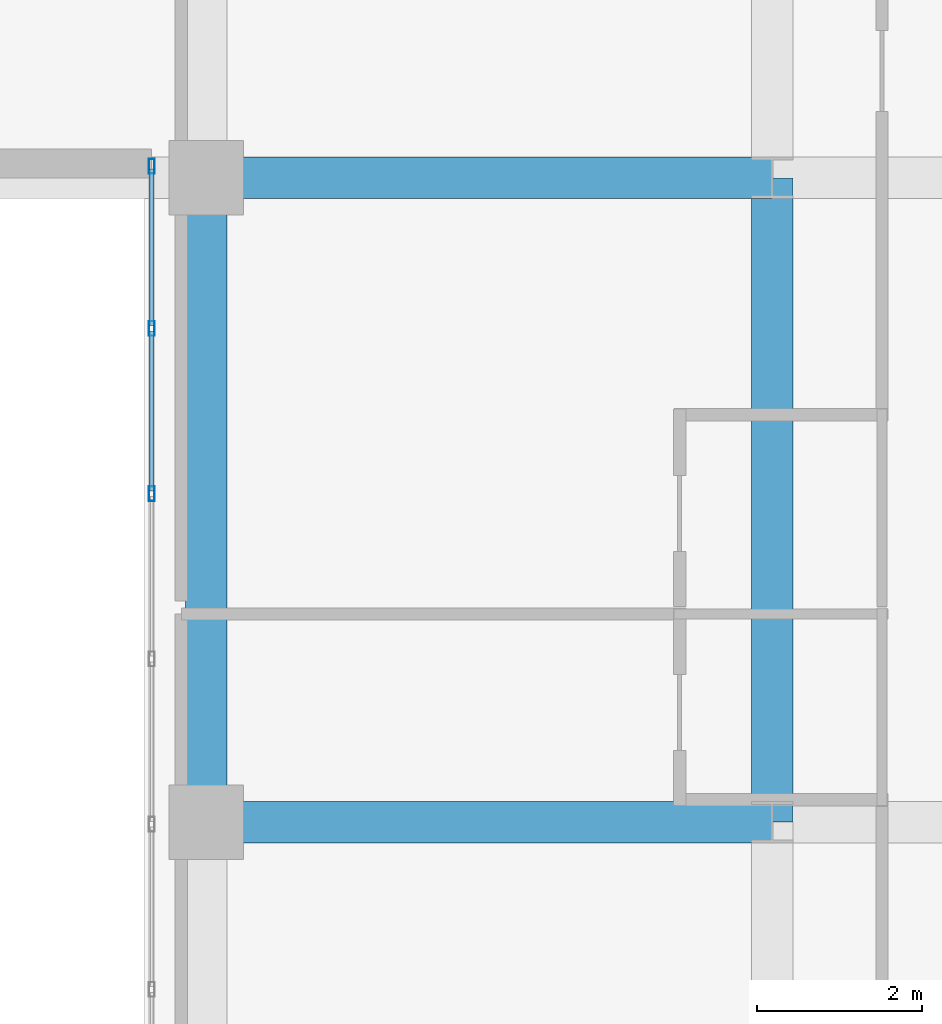
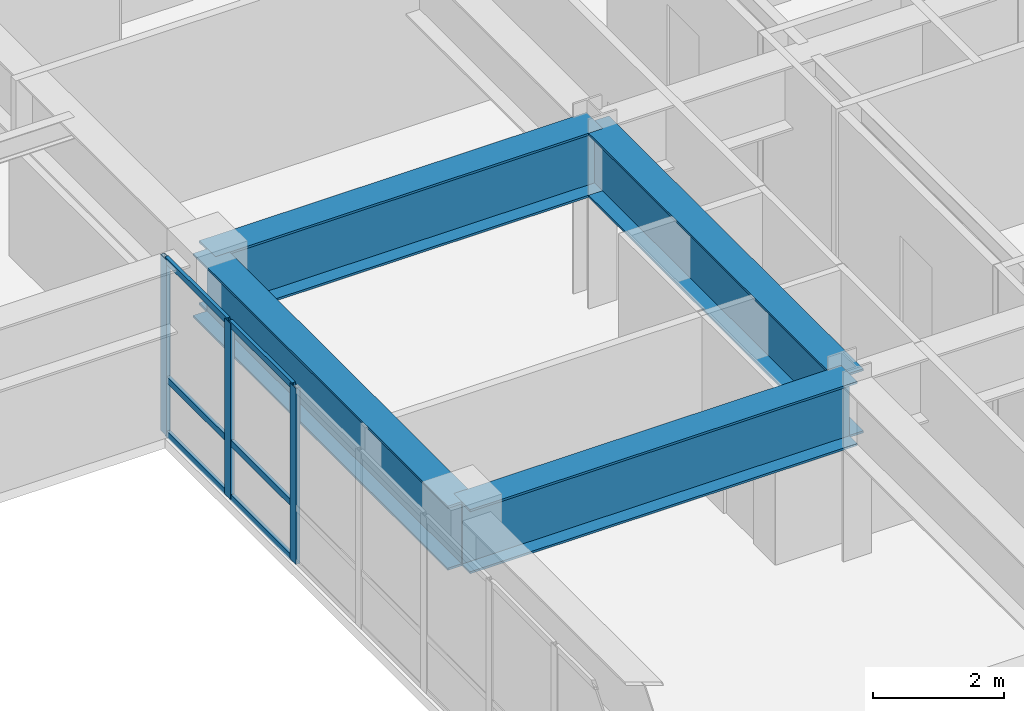
# One storey, part 6 of 15: 9 members, 4 beams, 1 element without a shape of its own.
"""IFC4 building model written with IfcOpenShell, lengths in metres."""

from ifc_helpers import new_model, si_unit, direction, frame, origin, origin_2d, place, context, subcontext, project, spatial, hollow_rectangle, i_section, extrude, source, transform, mapped, material, layer, layer_set, material_profile, profile_set, type_object, type_shapes, element, aggregate, save


model = new_model("IFC4")

# Units and contexts
model_context = context("Model", 3, precision=1e-05, world=origin(), true_north=direction((0.0, 1.0)))
body_context = subcontext(model_context, "Body", "Model", "MODEL_VIEW")
ifc_project = project(units=[si_unit("LENGTHUNIT", "METRE"), si_unit("AREAUNIT", "SQUARE_METRE"), si_unit("VOLUMEUNIT", "CUBIC_METRE"), si_unit("PLANEANGLEUNIT", "RADIAN"), si_unit("MASSUNIT", "GRAM", prefix="KILO")], contexts=[model_context])

# Site, building, storey
site_placement = place(None, origin())
site = spatial("IfcSite", under=ifc_project, at=site_placement, CompositionType="ELEMENT")
building_placement = place(site_placement, origin())
building = spatial("IfcBuilding", under=site, at=building_placement, Name="Tolvann Quenvar Hotel", CompositionType="ELEMENT")
storey_placement = place(building_placement, frame((0.0, 0.0, 143.5)))
storey = spatial("IfcBuildingStorey", under=building, at=storey_placement, Name="L37", CompositionType="ELEMENT", Elevation=143.5)

# Beams
ifc_material_1 = material(Name="Steel Grade 350", Category="steel")
ifc_material_profile_1 = material_profile(ifc_material_1, i_section(OverallWidth=0.5, OverallDepth=1.199951171875, WebThickness=0.01611328125, FlangeThickness=0.0400390625, at=origin_2d()), Name="1200WB455")
ifc_profile_set_1 = profile_set([ifc_material_profile_1], Name="Steel Grade 350")
beam_type = type_object("IfcBeamType", Name="BM_TG_1200WB455", PredefinedType="USERDEFINED", material=ifc_profile_set_1)
shared_shape_1 = source(origin(), body_context, "Body", "SweptSolid", [
    extrude(i_section(OverallWidth=0.5, OverallDepth=1.199951171875, WebThickness=0.01611328125, FlangeThickness=0.0400390625, at=origin_2d()), origin(), (0.0, 0.0, 1.0), 7.800048828125),
])
for number, where, z_axis, x_axis, name in (
    (1, (34.949951171875, 8.199951171875, 2.68994140625), (0.0, 1.0, 0.0), (-1.0, 0.0, 0.0), "BM-L37-NS-F3-F4"),
    (2, (41.800048828125, 8.199951171875, 2.68994140625), (0.0, 1.0, 0.0), (-1.0, 0.0, 0.0), "BM-L37-NS-H3-H4"),
):
    element("IfcBeam", number, at=place(storey_placement, frame(where, z_axis=z_axis, x_axis=x_axis)), inside=storey, type_object=beam_type, Name=name, ObjectType="TRANSFER GIRDER", PredefinedType="USERDEFINED", context=body_context, shape_type="MappedRepresentation", body=[
        mapped(shared_shape_1, transform((0.0, 0.0, 0.0), x_axis=(1.0, 0.0, 0.0), y_axis=(0.0, 1.0, 0.0), z_axis=(0.0, 0.0, 1.0), scale=1.0)),
    ])
shared_shape_2 = source(origin(), body_context, "Body", "SweptSolid", [
    extrude(i_section(OverallWidth=0.5, OverallDepth=1.199951171875, WebThickness=0.01611328125, FlangeThickness=0.0400390625, at=origin_2d()), origin(), (0.0, 0.0, 1.0), 6.85009765625),
])
type_shapes(beam_type, [shared_shape_1, shared_shape_2])
for number, where, z_axis, x_axis, name in (
    (3, (34.949951171875, 8.199951171875, 2.68994140625), (1.0, 0.0, 0.0), (0.0, 1.0, 0.0), "BM-L37-EW-3-F3-H3"),
    (4, (34.949951171875, 16.0, 2.68994140625), (1.0, 0.0, 0.0), (0.0, 1.0, 0.0), "BM-L37-EW-4-F4-H4"),
):
    element("IfcBeam", number, at=place(storey_placement, frame(where, z_axis=z_axis, x_axis=x_axis)), inside=storey, type_object=beam_type, Name=name, ObjectType="TRANSFER GIRDER", PredefinedType="USERDEFINED", context=body_context, shape_type="MappedRepresentation", body=[
        mapped(shared_shape_2, transform((0.0, 0.0, 0.0), x_axis=(1.0, 0.0, 0.0), y_axis=(0.0, 1.0, 0.0), z_axis=(0.0, 0.0, 1.0), scale=1.0)),
    ])

# Curtain wall, members
ifc_material_2 = material(Name="Thermally broken anodised architectural aluminium 6063-T6 and laminated low-E glass", Category="aluminium")
ifc_layer = layer(ifc_material_2, 0.179931640625)
ifc_layer_set = layer_set([ifc_layer], Name="Thermally broken anodised architectural aluminium 6063-T6 and laminated low-E glass")
curtain_wall_type = type_object("IfcCurtainWallType", Name="CW_SYS_SLOT_03", PredefinedType="USERDEFINED", material=ifc_layer_set)
curtain_wall_placement = place(storey_placement, origin())
curtain_wall = element("IfcCurtainWall", 5, at=curtain_wall_placement, inside=storey, type_object=curtain_wall_type, Name="Curtain Wall CW-SLOT-03 (CWR-L37-E07)", ObjectType="UNITISED CURTAIN WALL", PredefinedType="USERDEFINED")
ifc_material_3 = material(Name="Anodised architectural aluminium 6063-T6 framing", Category="aluminium")
ifc_material_profile_2 = material_profile(ifc_material_3, hollow_rectangle(XDim=0.06005859375, YDim=0.1201171875, WallThickness=0.00341796875, at=origin_2d()), Name="120x60x3.5RHS")
ifc_profile_set_2 = profile_set([ifc_material_profile_2], Name="Anodised architectural aluminium 6063-T6 framing")
member_type_1 = type_object("IfcMemberType", Name="CW_TRAN_120x60", PredefinedType="USERDEFINED", material=ifc_profile_set_2)
shared_shape_3 = source(origin(), body_context, "Body", "SweptSolid", [
    extrude(hollow_rectangle(XDim=0.06005859375, YDim=0.1201171875, WallThickness=0.00341796875, at=origin_2d()), origin(), (0.0, 0.0, 1.0), 1.929931640625),
])
member_1_placement = place(storey_placement, frame((34.2900390625, 14.139892578125, 0.030029296875), z_axis=(0.0, -1.0, 0.0), x_axis=(1.0, 0.0, 0.0)))
member_1 = element("IfcMember", 6, at=member_1_placement, type_object=member_type_1, Name="CW-SLOT-03 transom 2.1", ObjectType="TRANSOM", PredefinedType="USERDEFINED", context=body_context, shape_type="MappedRepresentation", body=[
    mapped(shared_shape_3, transform((0.0, 0.0, 0.0), x_axis=(1.0, 0.0, 0.0), y_axis=(0.0, 1.0, 0.0), z_axis=(0.0, 0.0, 1.0), scale=1.0)),
])
member_2_placement = place(storey_placement, frame((34.2900390625, 14.139892578125, 1.050048828125), z_axis=(0.0, -1.0, 0.0), x_axis=(1.0, 0.0, 0.0)))
member_2 = element("IfcMember", 7, at=member_2_placement, type_object=member_type_1, Name="CW-SLOT-03 transom 2.2", ObjectType="TRANSOM", PredefinedType="USERDEFINED", context=body_context, shape_type="MappedRepresentation", body=[
    mapped(shared_shape_3, transform((0.0, 0.0, 0.0), x_axis=(1.0, 0.0, 0.0), y_axis=(0.0, 1.0, 0.0), z_axis=(0.0, 0.0, 1.0), scale=1.0)),
])
member_3_placement = place(storey_placement, frame((34.2900390625, 14.139892578125, 3.260009765625), z_axis=(0.0, -1.0, 0.0), x_axis=(1.0, 0.0, 0.0)))
member_3 = element("IfcMember", 8, at=member_3_placement, type_object=member_type_1, Name="CW-SLOT-03 transom 2.3", ObjectType="TRANSOM", PredefinedType="USERDEFINED", context=body_context, shape_type="MappedRepresentation", body=[
    mapped(shared_shape_3, transform((0.0, 0.0, 0.0), x_axis=(1.0, 0.0, 0.0), y_axis=(0.0, 1.0, 0.0), z_axis=(0.0, 0.0, 1.0), scale=1.0)),
])
shared_shape_4 = source(origin(), body_context, "Body", "SweptSolid", [
    extrude(hollow_rectangle(XDim=0.06005859375, YDim=0.1201171875, WallThickness=0.00341796875, at=origin_2d()), origin(), (0.0, 0.0, 1.0), 1.89501953125),
])
type_shapes(member_type_1, [shared_shape_3, shared_shape_4])
member_4_placement = place(storey_placement, frame((34.2900390625, 16.10498046875, 0.030029296875), z_axis=(0.0, -1.0, 0.0), x_axis=(1.0, 0.0, 0.0)))
member_4 = element("IfcMember", 9, at=member_4_placement, type_object=member_type_1, Name="CW-SLOT-03 transom 1.1", ObjectType="TRANSOM", PredefinedType="USERDEFINED", context=body_context, shape_type="MappedRepresentation", body=[
    mapped(shared_shape_4, transform((0.0, 0.0, 0.0), x_axis=(1.0, 0.0, 0.0), y_axis=(0.0, 1.0, 0.0), z_axis=(0.0, 0.0, 1.0), scale=1.0)),
])
member_5_placement = place(storey_placement, frame((34.2900390625, 16.10498046875, 1.050048828125), z_axis=(0.0, -1.0, 0.0), x_axis=(1.0, 0.0, 0.0)))
member_5 = element("IfcMember", 10, at=member_5_placement, type_object=member_type_1, Name="CW-SLOT-03 transom 1.2", ObjectType="TRANSOM", PredefinedType="USERDEFINED", context=body_context, shape_type="MappedRepresentation", body=[
    mapped(shared_shape_4, transform((0.0, 0.0, 0.0), x_axis=(1.0, 0.0, 0.0), y_axis=(0.0, 1.0, 0.0), z_axis=(0.0, 0.0, 1.0), scale=1.0)),
])
member_6_placement = place(storey_placement, frame((34.2900390625, 16.10498046875, 3.260009765625), z_axis=(0.0, -1.0, 0.0), x_axis=(1.0, 0.0, 0.0)))
member_6 = element("IfcMember", 11, at=member_6_placement, type_object=member_type_1, Name="CW-SLOT-03 transom 1.3", ObjectType="TRANSOM", PredefinedType="USERDEFINED", context=body_context, shape_type="MappedRepresentation", body=[
    mapped(shared_shape_4, transform((0.0, 0.0, 0.0), x_axis=(1.0, 0.0, 0.0), y_axis=(0.0, 1.0, 0.0), z_axis=(0.0, 0.0, 1.0), scale=1.0)),
])
ifc_material_profile_3 = material_profile(ifc_material_3, hollow_rectangle(XDim=0.070068359375, YDim=0.179931640625, WallThickness=0.00390625, at=origin_2d()), Name="180x70x4RHS")
ifc_profile_set_3 = profile_set([ifc_material_profile_3], Name="Anodised architectural aluminium 6063-T6 framing")
member_type_2 = type_object("IfcMemberType", Name="CW_MULL_180x70", PredefinedType="MULLION", material=ifc_profile_set_3)
shared_shape_5 = source(origin(), body_context, "Body", "SweptSolid", [
    extrude(hollow_rectangle(XDim=0.070068359375, YDim=0.179931640625, WallThickness=0.00390625, at=origin_2d()), origin(), (0.0, 0.0, 1.0), 3.2900390625),
])
type_shapes(member_type_2, [shared_shape_5])
member_7_placement = place(storey_placement, frame((34.2900390625, 16.139892578125, 0.0), z_axis=(0.0, 0.0, 1.0), x_axis=(1.0, 0.0, 0.0)))
member_7 = element("IfcMember", 12, at=member_7_placement, type_object=member_type_2, Name="CW-SLOT-03 mullion 1", PredefinedType="MULLION", context=body_context, shape_type="MappedRepresentation", body=[
    mapped(shared_shape_5, transform((0.0, 0.0, 0.0), x_axis=(1.0, 0.0, 0.0), y_axis=(0.0, 1.0, 0.0), z_axis=(0.0, 0.0, 1.0), scale=1.0)),
])
member_8_placement = place(storey_placement, frame((34.2900390625, 14.175048828125, 0.0), z_axis=(0.0, 0.0, 1.0), x_axis=(1.0, 0.0, 0.0)))
member_8 = element("IfcMember", 13, at=member_8_placement, type_object=member_type_2, Name="CW-SLOT-03 mullion 2", PredefinedType="MULLION", context=body_context, shape_type="MappedRepresentation", body=[
    mapped(shared_shape_5, transform((0.0, 0.0, 0.0), x_axis=(1.0, 0.0, 0.0), y_axis=(0.0, 1.0, 0.0), z_axis=(0.0, 0.0, 1.0), scale=1.0)),
])
member_9_placement = place(storey_placement, frame((34.2900390625, 12.175048828125, 0.0), z_axis=(0.0, 0.0, 1.0), x_axis=(1.0, 0.0, 0.0)))
member_9 = element("IfcMember", 14, at=member_9_placement, type_object=member_type_2, Name="CW-SLOT-03 mullion 3", PredefinedType="MULLION", context=body_context, shape_type="MappedRepresentation", body=[
    mapped(shared_shape_5, transform((0.0, 0.0, 0.0), x_axis=(1.0, 0.0, 0.0), y_axis=(0.0, 1.0, 0.0), z_axis=(0.0, 0.0, 1.0), scale=1.0)),
])
aggregate(curtain_wall, [member_7, member_8, member_9, member_4, member_5, member_6, member_1, member_2, member_3])

save(model, "model.ifc")
